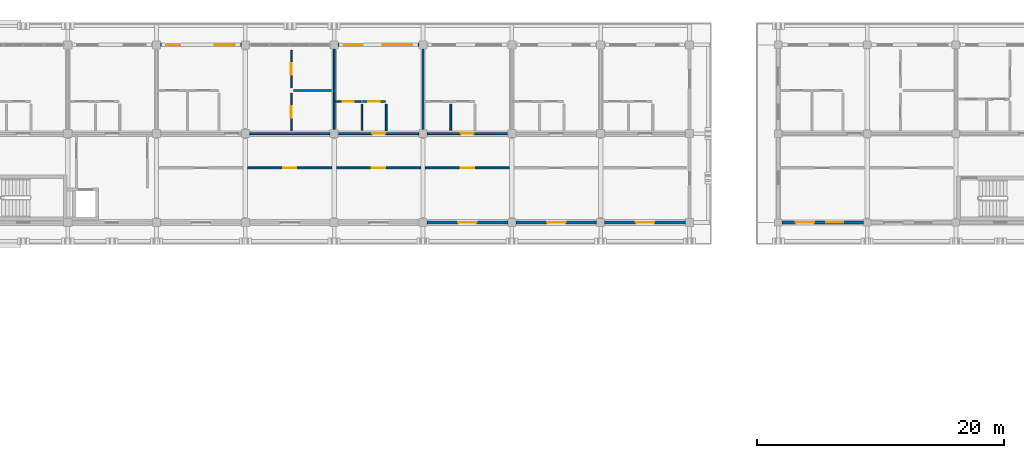
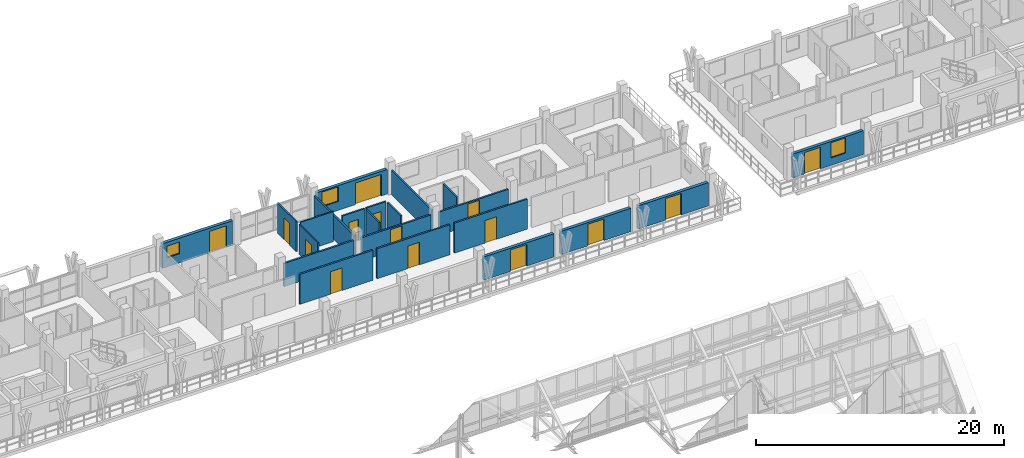
# One storey, part 125 of 157: 22 walls, 15 doors, 3 windows, 18 openings.
"""IFC4 building model written with IfcOpenShell, lengths in metres."""

from ifc_helpers import new_model, si_unit, direction, frame, frame_2d, origin, place, context, subcontext, project, spatial, rectangle, extrude, material, layer, layer_set, type_object, element, fill, save


model = new_model("IFC4")

# Units and contexts
model_context = context("Model", 3, precision=1e-05, world=origin(), true_north=direction((0.0, 1.0)))
body_context = subcontext(model_context, "Body", "Model", "MODEL_VIEW")
ifc_project = project(units=[si_unit("LENGTHUNIT", "METRE"), si_unit("AREAUNIT", "SQUARE_METRE"), si_unit("VOLUMEUNIT", "CUBIC_METRE"), si_unit("PLANEANGLEUNIT", "RADIAN"), si_unit("MASSUNIT", "GRAM", prefix="KILO")], contexts=[model_context])

# Site, building, storey
site_placement = place(None, origin())
site = spatial("IfcSite", under=ifc_project, at=site_placement, CompositionType="ELEMENT")
building_placement = place(site_placement, origin())
building = spatial("IfcBuilding", under=site, at=building_placement, Name="Suanplinth Sawtooth Commons", CompositionType="ELEMENT")
storey_placement = place(building_placement, frame((0.0, 0.0, 9.0)))
storey = spatial("IfcBuildingStorey", under=building, at=storey_placement, Name="L02", CompositionType="ELEMENT", Elevation=9.0)

# Wall, openings, door, window
ifc_material_1 = material(Name="Precast concrete C40/50", Category="concrete")
ifc_layer_1 = layer(ifc_material_1, 0.280029296875, Name="Insulated precast architectural facade wall 280mm")
ifc_layer_set_1 = layer_set([ifc_layer_1], Name="Precast concrete C40/50")
wall_type_1 = type_object("IfcWallType", Name="W-EX01", PredefinedType="ELEMENTEDWALL", material=ifc_layer_set_1)
wall_1_placement = place(storey_placement, frame((72.324951171875, 122.39990234375, 0.0), z_axis=(0.0, 0.0, 1.0), x_axis=(1.0, 0.0, 0.0)))
wall_1 = element("IfcWall", 1, at=wall_1_placement, inside=storey, type_object=wall_type_1, Name="Facade Wall W-L02-A-N-10", PredefinedType="ELEMENTEDWALL", context=body_context, shape_type="SweptSolid", body=[
    extrude(rectangle(XDim=6.550048828125, YDim=0.280029296875, at=frame_2d((3.27490234375, 0.0))), origin(), (0.0, 0.0, 1.0), 2.425048828125),
])
opening_1_placement = place(wall_1_placement, frame((4.39990234375, 0.0, 0.0)))
opening_1 = element("IfcOpeningElement", 2, at=opening_1_placement, cuts=wall_1, Name="Opening ED0142", PredefinedType="OPENING", context=body_context, shape_type="SweptSolid", body=[
    extrude(rectangle(XDim=1.60009765625, YDim=2.1201171875, at=frame_2d((0.800048828125, 1.06005859375))), frame((0.0, 0.15478515625, 0.0), z_axis=(0.0, -1.0, 0.0), x_axis=(1.0, 0.0, 0.0)), (0.0, 0.0, 1.0), 0.309814453125),
])
opening_2_placement = place(wall_1_placement, frame((0.449951171875, 0.0, 0.89990234375)))
opening_2 = element("IfcOpeningElement", 3, at=opening_2_placement, cuts=wall_1, Name="Opening W0261", PredefinedType="OPENING", context=body_context, shape_type="SweptSolid", body=[
    extrude(rectangle(XDim=1.14990234375, YDim=1.14990234375, at=frame_2d((0.574951171875, 0.574951171875))), frame((0.0, 0.15478515625, 0.0), z_axis=(0.0, -1.0, 0.0), x_axis=(1.0, 0.0, 0.0)), (0.0, 0.0, 1.0), 0.309814453125),
])
ifc_material_2 = material(Name="Anodized aluminium and low-E glass", Category="aluminium")
door_type_1 = type_object("IfcDoorType", Name="SD-02", OperationType="SLIDING_TO_RIGHT", PredefinedType="DOOR", material=ifc_material_2)
door_1_placement = place(opening_1_placement, frame((1.60009765625, 0.0, 0.0), z_axis=(0.0, 0.0, 1.0), x_axis=(-1.0, 0.0, 0.0)))
door_1 = element("IfcDoor", 4, at=door_1_placement, inside=storey, type_object=door_type_1, Name="Balcony Sliding Door L02-A-N-10", OperationType="SLIDING_TO_RIGHT", OverallHeight=2.1201171875, OverallWidth=1.60009765625, PredefinedType="DOOR", context=body_context, shape_type="SweptSolid", body=[
    extrude(rectangle(XDim=1.60009765625, YDim=2.1201171875, at=frame_2d((0.800048828125, 1.06005859375))), frame((0.0, 0.02490234375, 0.0), z_axis=(0.0, -1.0, 0.0), x_axis=(1.0, 0.0, 0.0)), (0.0, 0.0, 1.0), 0.050048828125),
])
fill(opening_1, door_1)
ifc_material_3 = material(Name="Thermally broken aluminium and low-E double glazing", Category="aluminium")
window_type_1 = type_object("IfcWindowType", Name="WN-20", PartitioningType="SINGLE_PANEL", PredefinedType="WINDOW", material=ifc_material_3)
window_1_placement = place(opening_2_placement, origin())
window_1 = element("IfcWindow", 5, at=window_1_placement, inside=storey, type_object=window_type_1, Name="Window L02-A-N-10", OverallHeight=1.14990234375, OverallWidth=1.14990234375, PartitioningType="SINGLE_PANEL", PredefinedType="WINDOW", context=body_context, shape_type="SweptSolid", body=[
    extrude(rectangle(XDim=1.14990234375, YDim=1.14990234375, at=frame_2d((0.574951171875, 0.574951171875))), frame((0.0, 0.030029296875, 0.0), z_axis=(0.0, -1.0, 0.0), x_axis=(1.0, 0.0, 0.0)), (0.0, 0.0, 1.0), 0.06005859375),
])
fill(opening_2, window_1)

wall_2_placement = place(storey_placement, frame((86.72509765625, 122.39990234375, 0.0), z_axis=(0.0, 0.0, 1.0), x_axis=(1.0, 0.0, 0.0)))
wall_2 = element("IfcWall", 6, at=wall_2_placement, inside=storey, type_object=wall_type_1, Name="Facade Wall W-L02-A-N-12", PredefinedType="ELEMENTEDWALL", context=body_context, shape_type="SweptSolid", body=[
    extrude(rectangle(XDim=6.5498046875, YDim=0.280029296875, at=frame_2d((3.27490234375, 0.0))), origin(), (0.0, 0.0, 1.0), 2.425048828125),
])
opening_3_placement = place(wall_2_placement, frame((3.60009765625, 0.0, 0.0)))
opening_3 = element("IfcOpeningElement", 7, at=opening_3_placement, cuts=wall_2, Name="Opening ED0145", PredefinedType="OPENING", context=body_context, shape_type="SweptSolid", body=[
    extrude(rectangle(XDim=2.39990234375, YDim=2.1201171875, at=frame_2d((1.199951171875, 1.06005859375))), frame((0.0, 0.15478515625, 0.0), z_axis=(0.0, -1.0, 0.0), x_axis=(1.0, 0.0, 0.0)), (0.0, 0.0, 1.0), 0.309814453125),
])
opening_4_placement = place(wall_2_placement, frame((0.449951171875, 0.0, 0.864990234375)))
opening_4 = element("IfcOpeningElement", 8, at=opening_4_placement, cuts=wall_2, Name="Opening W0262", PredefinedType="OPENING", context=body_context, shape_type="SweptSolid", body=[
    extrude(rectangle(XDim=1.550048828125, YDim=1.449951171875, at=frame_2d((0.77490234375, 0.72509765625))), frame((0.0, 0.15478515625, 0.0), z_axis=(0.0, -1.0, 0.0), x_axis=(1.0, 0.0, 0.0)), (0.0, 0.0, 1.0), 0.309814453125),
])
door_type_2 = type_object("IfcDoorType", Name="SD-04", OperationType="DOUBLE_DOOR_SLIDING", PredefinedType="DOOR", material=ifc_material_2)
door_2_placement = place(opening_3_placement, frame((2.39990234375, 0.0, 0.0), z_axis=(0.0, 0.0, 1.0), x_axis=(-1.0, 0.0, 0.0)))
door_2 = element("IfcDoor", 9, at=door_2_placement, inside=storey, type_object=door_type_2, Name="Balcony Sliding Door L02-A-N-12", OperationType="DOUBLE_DOOR_SLIDING", OverallHeight=2.1201171875, OverallWidth=2.39990234375, PredefinedType="DOOR", context=body_context, shape_type="SweptSolid", body=[
    extrude(rectangle(XDim=2.39990234375, YDim=2.1201171875, at=frame_2d((1.199951171875, 1.06005859375))), frame((0.0, 0.02490234375, 0.0), z_axis=(0.0, -1.0, 0.0), x_axis=(1.0, 0.0, 0.0)), (0.0, 0.0, 1.0), 0.050048828125),
])
fill(opening_3, door_2)
window_type_2 = type_object("IfcWindowType", Name="WN-22", PartitioningType="DOUBLE_PANEL_VERTICAL", PredefinedType="WINDOW", material=ifc_material_3)
window_2_placement = place(opening_4_placement, origin())
window_2 = element("IfcWindow", 10, at=window_2_placement, inside=storey, type_object=window_type_2, Name="Window L02-A-N-12", OverallHeight=1.449951171875, OverallWidth=1.550048828125, PartitioningType="DOUBLE_PANEL_VERTICAL", PredefinedType="WINDOW", context=body_context, shape_type="SweptSolid", body=[
    extrude(rectangle(XDim=1.550048828125, YDim=1.449951171875, at=frame_2d((0.77490234375, 0.72509765625))), frame((0.0, 0.030029296875, 0.0), z_axis=(0.0, -1.0, 0.0), x_axis=(1.0, 0.0, 0.0)), (0.0, 0.0, 1.0), 0.06005859375),
])
fill(opening_4, window_2)

# Wall, opening, door
wall_3_placement = place(storey_placement, frame((93.925048828125, 108.0, 0.0), z_axis=(0.0, 0.0, 1.0), x_axis=(1.0, 0.0, 0.0)))
wall_3 = element("IfcWall", 11, at=wall_3_placement, inside=storey, type_object=wall_type_1, Name="Courtyard Wall W-L02-A-S-13", PredefinedType="ELEMENTEDWALL", context=body_context, shape_type="SweptSolid", body=[
    extrude(rectangle(XDim=6.550048828125, YDim=0.280029296875, at=frame_2d((3.27490234375, 0.0))), origin(), (0.0, 0.0, 1.0), 2.294921875),
])
opening_5_placement = place(wall_3_placement, frame((2.52490234375, 0.0, 0.0)))
opening_5 = element("IfcOpeningElement", 12, at=opening_5_placement, cuts=wall_3, Name="Opening ED0148", PredefinedType="OPENING", context=body_context, shape_type="SweptSolid", body=[
    extrude(rectangle(XDim=1.5, YDim=2.1201171875, at=frame_2d((0.75, 1.06005859375))), frame((0.0, 0.15478515625, 0.0), z_axis=(0.0, -1.0, 0.0), x_axis=(1.0, 0.0, 0.0)), (0.0, 0.0, 1.0), 0.309814453125),
])
door_type_3 = type_object("IfcDoorType", Name="SD-03", OperationType="SLIDING_TO_LEFT", PredefinedType="DOOR", material=ifc_material_2)
door_3_placement = place(opening_5_placement, frame((1.5, 0.0, 0.0), z_axis=(0.0, 0.0, 1.0), x_axis=(-1.0, 0.0, 0.0)))
door_3 = element("IfcDoor", 13, at=door_3_placement, inside=storey, type_object=door_type_3, Name="Courtyard Balcony Sliding Door L02-A-S-13", OperationType="SLIDING_TO_LEFT", OverallHeight=2.1201171875, OverallWidth=1.5, PredefinedType="DOOR", context=body_context, shape_type="SweptSolid", body=[
    extrude(rectangle(XDim=1.5, YDim=2.1201171875, at=frame_2d((0.75, 1.06005859375))), frame((0.0, 0.02490234375, 0.0), z_axis=(0.0, -1.0, 0.0), x_axis=(1.0, 0.0, 0.0)), (0.0, 0.0, 1.0), 0.050048828125),
])
fill(opening_5, door_3)

wall_4_placement = place(storey_placement, frame((101.125, 108.0, 0.0), z_axis=(0.0, 0.0, 1.0), x_axis=(1.0, 0.0, 0.0)))
wall_4 = element("IfcWall", 14, at=wall_4_placement, inside=storey, type_object=wall_type_1, Name="Courtyard Wall W-L02-A-S-14", PredefinedType="ELEMENTEDWALL", context=body_context, shape_type="SweptSolid", body=[
    extrude(rectangle(XDim=6.550048828125, YDim=0.280029296875, at=frame_2d((3.27490234375, 0.0))), origin(), (0.0, 0.0, 1.0), 2.294921875),
])
opening_6_placement = place(wall_4_placement, frame((2.52490234375, 0.0, 0.0)))
opening_6 = element("IfcOpeningElement", 15, at=opening_6_placement, cuts=wall_4, Name="Opening ED0150", PredefinedType="OPENING", context=body_context, shape_type="SweptSolid", body=[
    extrude(rectangle(XDim=1.5, YDim=2.1201171875, at=frame_2d((0.75, 1.06005859375))), frame((0.0, 0.15478515625, 0.0), z_axis=(0.0, -1.0, 0.0), x_axis=(1.0, 0.0, 0.0)), (0.0, 0.0, 1.0), 0.309814453125),
])
door_4_placement = place(opening_6_placement, frame((1.5, 0.0, 0.0), z_axis=(0.0, 0.0, 1.0), x_axis=(-1.0, 0.0, 0.0)))
door_4 = element("IfcDoor", 16, at=door_4_placement, inside=storey, type_object=door_type_3, Name="Courtyard Balcony Sliding Door L02-A-S-14", OperationType="SLIDING_TO_LEFT", OverallHeight=2.1201171875, OverallWidth=1.5, PredefinedType="DOOR", context=body_context, shape_type="SweptSolid", body=[
    extrude(rectangle(XDim=1.5, YDim=2.1201171875, at=frame_2d((0.75, 1.06005859375))), frame((0.0, 0.02490234375, 0.0), z_axis=(0.0, -1.0, 0.0), x_axis=(1.0, 0.0, 0.0)), (0.0, 0.0, 1.0), 0.050048828125),
])
fill(opening_6, door_4)

wall_5_placement = place(storey_placement, frame((108.324951171875, 108.0, 0.0), z_axis=(0.0, 0.0, 1.0), x_axis=(1.0, 0.0, 0.0)))
wall_5 = element("IfcWall", 17, at=wall_5_placement, inside=storey, type_object=wall_type_1, Name="Courtyard Wall W-L02-A-S-15", PredefinedType="ELEMENTEDWALL", context=body_context, shape_type="SweptSolid", body=[
    extrude(rectangle(XDim=6.550048828125, YDim=0.280029296875, at=frame_2d((3.27490234375, 0.0))), origin(), (0.0, 0.0, 1.0), 2.294921875),
])
opening_7_placement = place(wall_5_placement, frame((2.52490234375, 0.0, 0.0)))
opening_7 = element("IfcOpeningElement", 18, at=opening_7_placement, cuts=wall_5, Name="Opening ED0152", PredefinedType="OPENING", context=body_context, shape_type="SweptSolid", body=[
    extrude(rectangle(XDim=1.5, YDim=2.1201171875, at=frame_2d((0.75, 1.06005859375))), frame((0.0, 0.15478515625, 0.0), z_axis=(0.0, -1.0, 0.0), x_axis=(1.0, 0.0, 0.0)), (0.0, 0.0, 1.0), 0.309814453125),
])
door_5_placement = place(opening_7_placement, frame((1.5, 0.0, 0.0), z_axis=(0.0, 0.0, 1.0), x_axis=(-1.0, 0.0, 0.0)))
door_5 = element("IfcDoor", 19, at=door_5_placement, inside=storey, type_object=door_type_3, Name="Courtyard Balcony Sliding Door L02-A-S-15", OperationType="SLIDING_TO_LEFT", OverallHeight=2.1201171875, OverallWidth=1.5, PredefinedType="DOOR", context=body_context, shape_type="SweptSolid", body=[
    extrude(rectangle(XDim=1.5, YDim=2.1201171875, at=frame_2d((0.75, 1.06005859375))), frame((0.0, 0.02490234375, 0.0), z_axis=(0.0, -1.0, 0.0), x_axis=(1.0, 0.0, 0.0)), (0.0, 0.0, 1.0), 0.050048828125),
])
fill(opening_7, door_5)

# Wall, openings, door, window
wall_6_placement = place(storey_placement, frame((122.699951171875, 108.0, 0.0), z_axis=(0.0, 0.0, 1.0), x_axis=(1.0, 0.0, 0.0)))
wall_6 = element("IfcWall", 20, at=wall_6_placement, inside=storey, type_object=wall_type_1, Name="Facade Wall W-L02-B-S-17-15", PredefinedType="ELEMENTEDWALL", context=body_context, shape_type="SweptSolid", body=[
    extrude(rectangle(XDim=6.60009765625, YDim=0.280029296875, at=frame_2d((3.300048828125, 0.0))), origin(), (0.0, 0.0, 1.0), 2.344970703125),
])
opening_8_placement = place(wall_6_placement, frame((1.10009765625, 0.0, 0.0)))
opening_8 = element("IfcOpeningElement", 21, at=opening_8_placement, cuts=wall_6, Name="Opening ED0155", PredefinedType="OPENING", context=body_context, shape_type="SweptSolid", body=[
    extrude(rectangle(XDim=1.5, YDim=2.1201171875, at=frame_2d((0.75, 1.06005859375))), frame((0.0, 0.15478515625, 0.0), z_axis=(0.0, -1.0, 0.0), x_axis=(1.0, 0.0, 0.0)), (0.0, 0.0, 1.0), 0.309814453125),
])
opening_9_placement = place(wall_6_placement, frame((3.60009765625, 0.0, 0.735107421875)))
opening_9 = element("IfcOpeningElement", 22, at=opening_9_placement, cuts=wall_6, Name="Opening W0268", PredefinedType="OPENING", context=body_context, shape_type="SweptSolid", body=[
    extrude(rectangle(XDim=1.35009765625, YDim=1.5, at=frame_2d((0.675048828125, 0.75))), frame((0.0, 0.15478515625, 0.0), z_axis=(0.0, -1.0, 0.0), x_axis=(1.0, 0.0, 0.0)), (0.0, 0.0, 1.0), 0.309814453125),
])
door_6_placement = place(opening_8_placement, frame((1.5, 0.0, 0.0), z_axis=(0.0, 0.0, 1.0), x_axis=(-1.0, 0.0, 0.0)))
door_6 = element("IfcDoor", 23, at=door_6_placement, inside=storey, type_object=door_type_3, Name="Courtyard Balcony Door L02-B-17", OperationType="SLIDING_TO_LEFT", OverallHeight=2.1201171875, OverallWidth=1.5, PredefinedType="DOOR", context=body_context, shape_type="SweptSolid", body=[
    extrude(rectangle(XDim=1.5, YDim=2.1201171875, at=frame_2d((0.75, 1.06005859375))), frame((0.0, 0.02490234375, 0.0), z_axis=(0.0, -1.0, 0.0), x_axis=(1.0, 0.0, 0.0)), (0.0, 0.0, 1.0), 0.050048828125),
])
fill(opening_8, door_6)
window_type_3 = type_object("IfcWindowType", Name="WN-14", PartitioningType="SINGLE_PANEL", PredefinedType="WINDOW", material=ifc_material_3)
window_3_placement = place(opening_9_placement, origin())
window_3 = element("IfcWindow", 24, at=window_3_placement, inside=storey, type_object=window_type_3, Name="Courtyard Window L02-B-17", OverallHeight=1.5, OverallWidth=1.35009765625, PartitioningType="SINGLE_PANEL", PredefinedType="WINDOW", context=body_context, shape_type="SweptSolid", body=[
    extrude(rectangle(XDim=1.35009765625, YDim=1.5, at=frame_2d((0.675048828125, 0.75))), frame((0.0, 0.030029296875, 0.0), z_axis=(0.0, -1.0, 0.0), x_axis=(1.0, 0.0, 0.0)), (0.0, 0.0, 1.0), 0.06005859375),
])
fill(opening_9, window_3)

# Wall
ifc_layer_2 = layer(ifc_material_1, 0.159912109375, Name="Fire-rated corridor and lobby wall 160mm")
ifc_layer_set_2 = layer_set([ifc_layer_2], Name="Precast concrete C40/50")
wall_type_2 = type_object("IfcWallType", Name="W-FW01", PredefinedType="PARTITIONING", material=ifc_layer_set_2)
wall_7_placement = place(storey_placement, frame((79.554931640625, 115.199951171875, 0.0), z_axis=(0.0, 0.0, 1.0), x_axis=(1.0, 0.0, 0.0)))
element("IfcWall", 25, at=wall_7_placement, inside=storey, type_object=wall_type_2, Name="W-A-L02-U09-COR-S2", PredefinedType="PARTITIONING", context=body_context, shape_type="SweptSolid", body=[
    extrude(rectangle(XDim=6.489990234375, YDim=0.159912109375, at=frame_2d((3.2451171875, 0.0))), origin(), (0.0, 0.0, 1.0), 2.294921875),
])

# Wall, opening, door
wall_8_placement = place(storey_placement, frame((86.7548828125, 115.199951171875, 0.0), z_axis=(0.0, 0.0, 1.0), x_axis=(1.0, 0.0, 0.0)))
wall_8 = element("IfcWall", 26, at=wall_8_placement, inside=storey, type_object=wall_type_2, Name="W-A-L02-U10-COR", PredefinedType="PARTITIONING", context=body_context, shape_type="SweptSolid", body=[
    extrude(rectangle(XDim=6.490234375, YDim=0.159912109375, at=frame_2d((3.2451171875, 0.0))), origin(), (0.0, 0.0, 1.0), 2.294921875),
])
opening_10_placement = place(wall_8_placement, frame((2.719970703125, 0.0, 0.0)))
opening_10 = element("IfcOpeningElement", 27, at=opening_10_placement, cuts=wall_8, Name="Opening FD0721", PredefinedType="OPENING", context=body_context, shape_type="SweptSolid", body=[
    extrude(rectangle(XDim=1.050048828125, YDim=2.14990234375, at=frame_2d((0.52490234375, 1.074951171875))), frame((0.0, 0.0947265625, 0.0), z_axis=(0.0, -1.0, 0.0), x_axis=(1.0, 0.0, 0.0)), (0.0, 0.0, 1.0), 0.189697265625),
])
ifc_material_4 = material(Name="Teak hardwood fire-rated door assembly", Category="wood")
door_type_4 = type_object("IfcDoorType", Name="FD-04", OperationType="NOTDEFINED", PredefinedType="DOOR", material=ifc_material_4)
door_7_placement = place(opening_10_placement, origin())
door_7 = element("IfcDoor", 28, at=door_7_placement, inside=storey, type_object=door_type_4, Name="Unit Entrance Door FD0721", OperationType="SINGLE_SWING_LEFT", OverallHeight=2.14990234375, OverallWidth=1.050048828125, PredefinedType="DOOR", context=body_context, shape_type="SweptSolid", body=[
    extrude(rectangle(XDim=1.050048828125, YDim=2.14990234375, at=frame_2d((0.52490234375, 1.074951171875))), frame((0.0, 0.02490234375, 0.0), z_axis=(0.0, -1.0, 0.0), x_axis=(1.0, 0.0, 0.0)), (0.0, 0.0, 1.0), 0.050048828125),
])
fill(opening_10, door_7)

wall_9_placement = place(storey_placement, frame((93.955078125, 115.199951171875, 0.0), z_axis=(0.0, 0.0, 1.0), x_axis=(1.0, 0.0, 0.0)))
wall_9 = element("IfcWall", 29, at=wall_9_placement, inside=storey, type_object=wall_type_2, Name="W-A-L02-U11-COR", PredefinedType="PARTITIONING", context=body_context, shape_type="SweptSolid", body=[
    extrude(rectangle(XDim=6.489990234375, YDim=0.159912109375, at=frame_2d((3.2451171875, 0.0))), origin(), (0.0, 0.0, 1.0), 2.294921875),
])
opening_11_placement = place(wall_9_placement, frame((2.719970703125, 0.0, 0.0)))
opening_11 = element("IfcOpeningElement", 30, at=opening_11_placement, cuts=wall_9, Name="Opening FD0724", PredefinedType="OPENING", context=body_context, shape_type="SweptSolid", body=[
    extrude(rectangle(XDim=1.050048828125, YDim=2.14990234375, at=frame_2d((0.52490234375, 1.074951171875))), frame((0.0, 0.0947265625, 0.0), z_axis=(0.0, -1.0, 0.0), x_axis=(1.0, 0.0, 0.0)), (0.0, 0.0, 1.0), 0.189697265625),
])
door_8_placement = place(opening_11_placement, origin())
door_8 = element("IfcDoor", 31, at=door_8_placement, inside=storey, type_object=door_type_4, Name="Unit Entrance Door FD0724", OperationType="SINGLE_SWING_RIGHT", OverallHeight=2.14990234375, OverallWidth=1.050048828125, PredefinedType="DOOR", context=body_context, shape_type="SweptSolid", body=[
    extrude(rectangle(XDim=1.050048828125, YDim=2.14990234375, at=frame_2d((0.52490234375, 1.074951171875))), frame((0.0, 0.02490234375, 0.0), z_axis=(0.0, -1.0, 0.0), x_axis=(1.0, 0.0, 0.0)), (0.0, 0.0, 1.0), 0.050048828125),
])
fill(opening_11, door_8)

wall_10_placement = place(storey_placement, frame((79.39990234375, 112.419921875, 0.0), z_axis=(0.0, 0.0, 1.0), x_axis=(1.0, 0.0, 0.0)))
wall_10 = element("IfcWall", 32, at=wall_10_placement, inside=storey, type_object=wall_type_2, Name="W-A-L02-COURTROOM-20-COR", PredefinedType="PARTITIONING", context=body_context, shape_type="SweptSolid", body=[
    extrude(rectangle(XDim=6.800048828125, YDim=0.159912109375, at=frame_2d((3.39990234375, 0.0))), origin(), (0.0, 0.0, 1.0), 2.9599609375),
])
opening_12_placement = place(wall_10_placement, frame((2.860107421875, 0.0, 0.0)))
opening_12 = element("IfcOpeningElement", 33, at=opening_12_placement, cuts=wall_10, Name="Opening D0740", PredefinedType="OPENING", context=body_context, shape_type="SweptSolid", body=[
    extrude(rectangle(XDim=1.080078125, YDim=2.219970703125, at=frame_2d((0.5400390625, 1.10986328125))), frame((0.0, 0.0947265625, 0.0), z_axis=(0.0, -1.0, 0.0), x_axis=(1.0, 0.0, 0.0)), (0.0, 0.0, 1.0), 0.189697265625),
])
ifc_material_5 = material(Name="Teak hardwood", Category="wood")
door_type_5 = type_object("IfcDoorType", Name="D-17", OperationType="NOTDEFINED", PredefinedType="DOOR", material=ifc_material_5)
door_9_placement = place(opening_12_placement, frame((1.080078125, 0.0, 0.0), z_axis=(0.0, 0.0, 1.0), x_axis=(-1.0, 0.0, 0.0)))
door_9 = element("IfcDoor", 34, at=door_9_placement, inside=storey, type_object=door_type_5, Name="Study Studio Door D0740", OperationType="SINGLE_SWING_RIGHT", OverallHeight=2.219970703125, OverallWidth=1.080078125, PredefinedType="DOOR", context=body_context, shape_type="SweptSolid", body=[
    extrude(rectangle(XDim=1.080078125, YDim=2.219970703125, at=frame_2d((0.5400390625, 1.10986328125))), frame((0.0, 0.02490234375, 0.0), z_axis=(0.0, -1.0, 0.0), x_axis=(1.0, 0.0, 0.0)), (0.0, 0.0, 1.0), 0.050048828125),
])
fill(opening_12, door_9)

wall_11_placement = place(storey_placement, frame((86.60009765625, 112.419921875, 0.0), z_axis=(0.0, 0.0, 1.0), x_axis=(1.0, 0.0, 0.0)))
wall_11 = element("IfcWall", 35, at=wall_11_placement, inside=storey, type_object=wall_type_2, Name="W-A-L02-COURTROOM-21-COR", PredefinedType="PARTITIONING", context=body_context, shape_type="SweptSolid", body=[
    extrude(rectangle(XDim=6.7998046875, YDim=0.159912109375, at=frame_2d((3.39990234375, 0.0))), origin(), (0.0, 0.0, 1.0), 2.9599609375),
])
opening_13_placement = place(wall_11_placement, frame((2.860107421875, 0.0, 0.0)))
opening_13 = element("IfcOpeningElement", 36, at=opening_13_placement, cuts=wall_11, Name="Opening D0741", PredefinedType="OPENING", context=body_context, shape_type="SweptSolid", body=[
    extrude(rectangle(XDim=1.080078125, YDim=2.219970703125, at=frame_2d((0.5400390625, 1.10986328125))), frame((0.0, 0.0947265625, 0.0), z_axis=(0.0, -1.0, 0.0), x_axis=(1.0, 0.0, 0.0)), (0.0, 0.0, 1.0), 0.189697265625),
])
door_10_placement = place(opening_13_placement, frame((1.080078125, 0.0, 0.0), z_axis=(0.0, 0.0, 1.0), x_axis=(-1.0, 0.0, 0.0)))
door_10 = element("IfcDoor", 37, at=door_10_placement, inside=storey, type_object=door_type_5, Name="Study Studio Door D0741", OperationType="SINGLE_SWING_LEFT", OverallHeight=2.219970703125, OverallWidth=1.080078125, PredefinedType="DOOR", context=body_context, shape_type="SweptSolid", body=[
    extrude(rectangle(XDim=1.080078125, YDim=2.219970703125, at=frame_2d((0.5400390625, 1.10986328125))), frame((0.0, 0.02490234375, 0.0), z_axis=(0.0, -1.0, 0.0), x_axis=(1.0, 0.0, 0.0)), (0.0, 0.0, 1.0), 0.050048828125),
])
fill(opening_13, door_10)

wall_12_placement = place(storey_placement, frame((93.800048828125, 112.419921875, 0.0), z_axis=(0.0, 0.0, 1.0), x_axis=(1.0, 0.0, 0.0)))
wall_12 = element("IfcWall", 38, at=wall_12_placement, inside=storey, type_object=wall_type_2, Name="W-A-L02-COURTROOM-22-COR", PredefinedType="PARTITIONING", context=body_context, shape_type="SweptSolid", body=[
    extrude(rectangle(XDim=6.800048828125, YDim=0.159912109375, at=frame_2d((3.39990234375, 0.0))), origin(), (0.0, 0.0, 1.0), 2.9599609375),
])
opening_14_placement = place(wall_12_placement, frame((2.860107421875, 0.0, 0.0)))
opening_14 = element("IfcOpeningElement", 39, at=opening_14_placement, cuts=wall_12, Name="Opening D0742", PredefinedType="OPENING", context=body_context, shape_type="SweptSolid", body=[
    extrude(rectangle(XDim=1.080078125, YDim=2.219970703125, at=frame_2d((0.5400390625, 1.10986328125))), frame((0.0, 0.0947265625, 0.0), z_axis=(0.0, -1.0, 0.0), x_axis=(1.0, 0.0, 0.0)), (0.0, 0.0, 1.0), 0.189697265625),
])
door_11_placement = place(opening_14_placement, frame((1.080078125, 0.0, 0.0), z_axis=(0.0, 0.0, 1.0), x_axis=(-1.0, 0.0, 0.0)))
door_11 = element("IfcDoor", 40, at=door_11_placement, inside=storey, type_object=door_type_5, Name="Study Studio Door D0742", OperationType="SINGLE_SWING_RIGHT", OverallHeight=2.219970703125, OverallWidth=1.080078125, PredefinedType="DOOR", context=body_context, shape_type="SweptSolid", body=[
    extrude(rectangle(XDim=1.080078125, YDim=2.219970703125, at=frame_2d((0.5400390625, 1.10986328125))), frame((0.0, 0.02490234375, 0.0), z_axis=(0.0, -1.0, 0.0), x_axis=(1.0, 0.0, 0.0)), (0.0, 0.0, 1.0), 0.050048828125),
])
fill(opening_14, door_11)

# Walls
ifc_layer_3 = layer(ifc_material_1, 0.14990234375, Name="Acoustic precast party demising wall 150mm")
ifc_layer_set_3 = layer_set([ifc_layer_3], Name="Precast concrete C40/50")
wall_type_3 = type_object("IfcWallType", Name="W-FW02", PredefinedType="PARTITIONING", material=ifc_layer_set_3)
for number, where, z_axis, x_axis, name in (
    (41, (86.39990234375, 115.554931640625, 0.0), (0.0, 0.0, 1.0), (0.0, 1.0, 0.0), "W-A-L02-U09-PTY"),
    (42, (93.60009765625, 115.554931640625, 0.0), (0.0, 0.0, 1.0), (0.0, 1.0, 0.0), "W-A-L02-U10-PTY"),
):
    element("IfcWall", number, at=place(storey_placement, frame(where, z_axis=z_axis, x_axis=x_axis)), inside=storey, type_object=wall_type_3, Name=name, PredefinedType="PARTITIONING", context=body_context, shape_type="SweptSolid", body=[
        extrude(rectangle(XDim=6.489990234375, YDim=0.14990234375, at=frame_2d((3.2451171875, 0.0))), origin(), (0.0, 0.0, 1.0), 2.39501953125),
    ])

# Wall, opening, door
ifc_material_6 = material(Name="Gypsum plasterboard on steel stud", Category="steel")
ifc_layer_4 = layer(ifc_material_6, 0.139892578125, Name="Fire-rated kitchen partition 140mm")
ifc_layer_set_4 = layer_set([ifc_layer_4], Name="Gypsum plasterboard on steel stud")
wall_type_4 = type_object("IfcWallType", Name="W-PT01", PredefinedType="PARTITIONING", material=ifc_layer_set_4)
wall_13_placement = place(storey_placement, frame((88.699951171875, 117.800048828125, 0.0), z_axis=(0.0, 0.0, 1.0), x_axis=(1.0, 0.0, 0.0)))
wall_13 = element("IfcWall", 43, at=wall_13_placement, inside=storey, type_object=wall_type_4, Name="W-A-L02-U10-KIT1", PredefinedType="PARTITIONING", context=body_context, shape_type="SweptSolid", body=[
    extrude(rectangle(XDim=1.85009765625, YDim=0.139892578125, at=frame_2d((0.925048828125, 0.0))), origin(), (0.0, 0.0, 1.0), 2.9599609375),
])
opening_15_placement = place(wall_13_placement, frame((0.4599609375, 0.0, 0.0)))
opening_15 = element("IfcOpeningElement", 44, at=opening_15_placement, cuts=wall_13, Name="Opening D0723", PredefinedType="OPENING", context=body_context, shape_type="SweptSolid", body=[
    extrude(rectangle(XDim=0.929931640625, YDim=2.139892578125, at=frame_2d((0.46484375, 1.06982421875))), frame((0.0, 0.0849609375, 0.0), z_axis=(0.0, -1.0, 0.0), x_axis=(1.0, 0.0, 0.0)), (0.0, 0.0, 1.0), 0.169677734375),
])
door_type_6 = type_object("IfcDoorType", Name="D-19", OperationType="NOTDEFINED", PredefinedType="DOOR", material=ifc_material_5)
door_12_placement = place(opening_15_placement, frame((0.929931640625, 0.0, 0.0), z_axis=(0.0, 0.0, 1.0), x_axis=(-1.0, 0.0, 0.0)))
door_12 = element("IfcDoor", 45, at=door_12_placement, inside=storey, type_object=door_type_6, Name="Kitchen Door D0723", OperationType="SINGLE_SWING_LEFT", OverallHeight=2.139892578125, OverallWidth=0.929931640625, PredefinedType="DOOR", context=body_context, shape_type="SweptSolid", body=[
    extrude(rectangle(XDim=0.929931640625, YDim=2.139892578125, at=frame_2d((0.46484375, 1.06982421875))), frame((0.0, 0.02490234375, 0.0), z_axis=(0.0, -1.0, 0.0), x_axis=(1.0, 0.0, 0.0)), (0.0, 0.0, 1.0), 0.050048828125),
])
fill(opening_15, door_12)

# Wall
wall_14_placement = place(storey_placement, frame((90.6201171875, 115.429931640625, 0.0), z_axis=(0.0, 0.0, 1.0), x_axis=(0.0, 1.0, 0.0)))
element("IfcWall", 46, at=wall_14_placement, inside=storey, type_object=wall_type_4, Name="W-A-L02-U10-KIT2", PredefinedType="PARTITIONING", context=body_context, shape_type="SweptSolid", body=[
    extrude(rectangle(XDim=2.150146484375, YDim=0.139892578125, at=frame_2d((1.0751953125, 0.0))), origin(), (0.0, 0.0, 1.0), 2.9599609375),
])

# Wall, opening, door
ifc_layer_5 = layer(ifc_material_6, 0.1298828125, Name="Moisture-resistant bathroom partition 130mm")
ifc_layer_set_5 = layer_set([ifc_layer_5], Name="Gypsum plasterboard on steel stud")
wall_type_5 = type_object("IfcWallType", Name="W-PT02", PredefinedType="PARTITIONING", material=ifc_layer_set_5)
wall_15_placement = place(storey_placement, frame((86.47998046875, 117.794921875, 0.0), z_axis=(0.0, 0.0, 1.0), x_axis=(1.0, 0.0, 0.0)))
wall_15 = element("IfcWall", 47, at=wall_15_placement, inside=storey, type_object=wall_type_5, Name="W-A-L02-U10-BTH1", PredefinedType="PARTITIONING", context=body_context, shape_type="SweptSolid", body=[
    extrude(rectangle(XDim=2.10009765625, YDim=0.1298828125, at=frame_2d((1.050048828125, 0.0))), origin(), (0.0, 0.0, 1.0), 2.9599609375),
])
opening_16_placement = place(wall_15_placement, frame((0.610107421875, 0.0, 0.0)))
opening_16 = element("IfcOpeningElement", 48, at=opening_16_placement, cuts=wall_15, Name="Opening D0722", PredefinedType="OPENING", context=body_context, shape_type="SweptSolid", body=[
    extrude(rectangle(XDim=0.8798828125, YDim=2.10009765625, at=frame_2d((0.43994140625, 1.050048828125))), frame((0.0, 0.079833984375, 0.0), z_axis=(0.0, -1.0, 0.0), x_axis=(1.0, 0.0, 0.0)), (0.0, 0.0, 1.0), 0.15966796875),
])
door_type_7 = type_object("IfcDoorType", Name="D-14", OperationType="NOTDEFINED", PredefinedType="DOOR", material=ifc_material_5)
door_13_placement = place(opening_16_placement, frame((0.8798828125, 0.0, 0.0), z_axis=(0.0, 0.0, 1.0), x_axis=(-1.0, 0.0, 0.0)))
door_13 = element("IfcDoor", 49, at=door_13_placement, inside=storey, type_object=door_type_7, Name="Bathroom Door D0722", OperationType="SINGLE_SWING_RIGHT", OverallHeight=2.10009765625, OverallWidth=0.8798828125, PredefinedType="DOOR", context=body_context, shape_type="SweptSolid", body=[
    extrude(rectangle(XDim=0.8798828125, YDim=2.10009765625, at=frame_2d((0.43994140625, 1.050048828125))), frame((0.0, 0.02490234375, 0.0), z_axis=(0.0, -1.0, 0.0), x_axis=(1.0, 0.0, 0.0)), (0.0, 0.0, 1.0), 0.050048828125),
])
fill(opening_16, door_13)

# Walls
for number, where, z_axis, x_axis, name in (
    (50, (88.64501953125, 115.4599609375, 0.0), (0.0, 0.0, 1.0), (0.0, 1.0, 0.0), "W-A-L02-U10-BTH2"),
    (51, (95.844970703125, 115.4599609375, 0.0), (0.0, 0.0, 1.0), (0.0, 1.0, 0.0), "W-A-L02-U11-BTH2"),
):
    element("IfcWall", number, at=place(storey_placement, frame(where, z_axis=z_axis, x_axis=x_axis)), inside=storey, type_object=wall_type_5, Name=name, PredefinedType="PARTITIONING", context=body_context, shape_type="SweptSolid", body=[
        extrude(rectangle(XDim=2.130126953125, YDim=0.1298828125, at=frame_2d((1.06494140625, 0.0))), origin(), (0.0, 0.0, 1.0), 2.9599609375),
    ])

# Wall, opening, door
ifc_layer_6 = layer(ifc_material_6, 0.1201171875, Name="Acoustic bedroom partition 120mm")
ifc_layer_set_6 = layer_set([ifc_layer_6], Name="Gypsum plasterboard on steel stud")
wall_type_6 = type_object("IfcWallType", Name="W-PT03", PredefinedType="PARTITIONING", material=ifc_layer_set_6)
wall_16_placement = place(storey_placement, frame((82.919921875, 118.919921875, 0.0), z_axis=(0.0, 0.0, 1.0), x_axis=(0.0, 1.0, 0.0)))
wall_16 = element("IfcWall", 52, at=wall_16_placement, inside=storey, type_object=wall_type_6, Name="W-A-L02-U09-BED1", PredefinedType="PARTITIONING", context=body_context, shape_type="SweptSolid", body=[
    extrude(rectangle(XDim=3.0400390625, YDim=0.1201171875, at=frame_2d((1.52001953125, 0.0))), origin(), (0.0, 0.0, 1.0), 2.9599609375),
])
opening_17_placement = place(wall_16_placement, frame((1.044921875, 0.0, 0.0)))
opening_17 = element("IfcOpeningElement", 53, at=opening_17_placement, cuts=wall_16, Name="Opening D0719", PredefinedType="OPENING", context=body_context, shape_type="SweptSolid", body=[
    extrude(rectangle(XDim=0.949951171875, YDim=2.14990234375, at=frame_2d((0.47509765625, 1.074951171875))), frame((0.0, 0.074951171875, 0.0), z_axis=(0.0, -1.0, 0.0), x_axis=(1.0, 0.0, 0.0)), (0.0, 0.0, 1.0), 0.14990234375),
])
door_type_8 = type_object("IfcDoorType", Name="D-03", OperationType="NOTDEFINED", PredefinedType="DOOR", material=ifc_material_5)
door_14_placement = place(opening_17_placement, frame((0.949951171875, 0.0, 0.0), z_axis=(0.0, 0.0, 1.0), x_axis=(-1.0, 0.0, 0.0)))
door_14 = element("IfcDoor", 54, at=door_14_placement, inside=storey, type_object=door_type_8, Name="Bedroom Door D0719", OperationType="SINGLE_SWING_LEFT", OverallHeight=2.14990234375, OverallWidth=0.949951171875, PredefinedType="DOOR", context=body_context, shape_type="SweptSolid", body=[
    extrude(rectangle(XDim=0.949951171875, YDim=2.14990234375, at=frame_2d((0.47509765625, 1.074951171875))), frame((0.0, 0.02490234375, 0.0), z_axis=(0.0, -1.0, 0.0), x_axis=(1.0, 0.0, 0.0)), (0.0, 0.0, 1.0), 0.050048828125),
])
fill(opening_17, door_14)

wall_17_placement = place(storey_placement, frame((82.919921875, 115.43994140625, 0.0), z_axis=(0.0, 0.0, 1.0), x_axis=(0.0, 1.0, 0.0)))
wall_17 = element("IfcWall", 55, at=wall_17_placement, inside=storey, type_object=wall_type_6, Name="W-A-L02-U09-BED2", PredefinedType="PARTITIONING", context=body_context, shape_type="SweptSolid", body=[
    extrude(rectangle(XDim=3.0400390625, YDim=0.1201171875, at=frame_2d((1.52001953125, 0.0))), origin(), (0.0, 0.0, 1.0), 2.9599609375),
])
opening_18_placement = place(wall_17_placement, frame((1.0400390625, 0.0, 0.0)))
opening_18 = element("IfcOpeningElement", 56, at=opening_18_placement, cuts=wall_17, Name="Opening D0720", PredefinedType="OPENING", context=body_context, shape_type="SweptSolid", body=[
    extrude(rectangle(XDim=0.9599609375, YDim=2.14990234375, at=frame_2d((0.47998046875, 1.074951171875))), frame((0.0, 0.074951171875, 0.0), z_axis=(0.0, -1.0, 0.0), x_axis=(1.0, 0.0, 0.0)), (0.0, 0.0, 1.0), 0.14990234375),
])
door_type_9 = type_object("IfcDoorType", Name="D-13", OperationType="NOTDEFINED", PredefinedType="DOOR", material=ifc_material_5)
door_15_placement = place(opening_18_placement, frame((0.9599609375, 0.0, 0.0), z_axis=(0.0, 0.0, 1.0), x_axis=(-1.0, 0.0, 0.0)))
door_15 = element("IfcDoor", 57, at=door_15_placement, inside=storey, type_object=door_type_9, Name="Second Bedroom Door D0720", OperationType="SINGLE_SWING_RIGHT", OverallHeight=2.14990234375, OverallWidth=0.9599609375, PredefinedType="DOOR", context=body_context, shape_type="SweptSolid", body=[
    extrude(rectangle(XDim=0.9599609375, YDim=2.14990234375, at=frame_2d((0.47998046875, 1.074951171875))), frame((0.0, 0.02490234375, 0.0), z_axis=(0.0, -1.0, 0.0), x_axis=(1.0, 0.0, 0.0)), (0.0, 0.0, 1.0), 0.050048828125),
])
fill(opening_18, door_15)

# Wall
ifc_layer_7 = layer(ifc_material_6, 0.125, Name="Acoustic study partition 125mm")
ifc_layer_set_7 = layer_set([ifc_layer_7], Name="Gypsum plasterboard on steel stud")
wall_type_7 = type_object("IfcWallType", Name="W-PT06", PredefinedType="PARTITIONING", material=ifc_layer_set_7)
wall_18_placement = place(storey_placement, frame((83.1201171875, 118.699951171875, 0.0), z_axis=(0.0, 0.0, 1.0), x_axis=(1.0, 0.0, 0.0)))
element("IfcWall", 58, at=wall_18_placement, inside=storey, type_object=wall_type_7, Name="W-A-L02-U09-BEDDIV", PredefinedType="PARTITIONING", context=body_context, shape_type="SweptSolid", body=[
    extrude(rectangle(XDim=3.059814453125, YDim=0.125, at=frame_2d((1.52978515625, 0.0))), origin(), (0.0, 0.0, 1.0), 2.9599609375),
])

save(model, "model.ifc")
